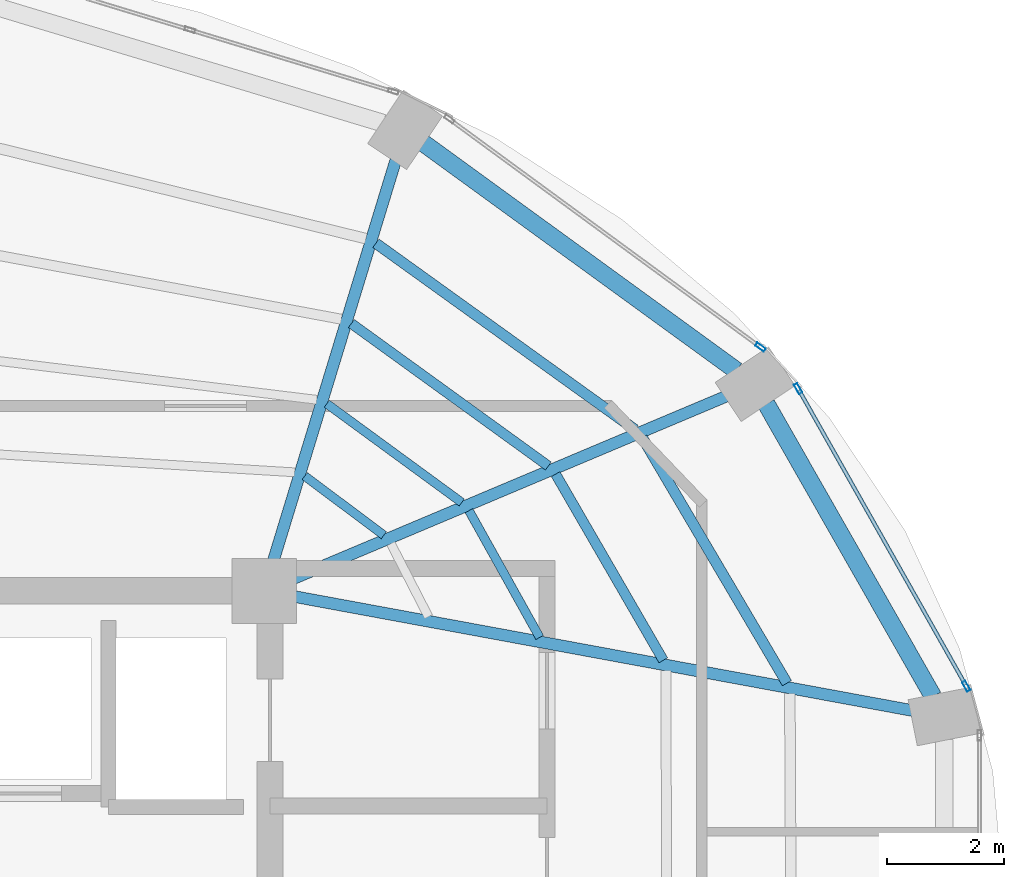
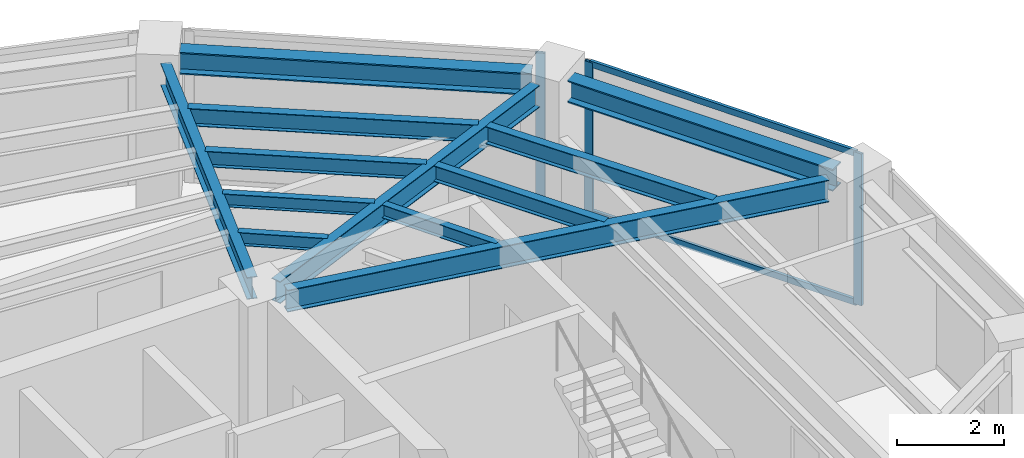
# One storey, part 15 of 23: 12 beams, 5 members, 2 elements without a shape of their own.
"""IFC4 building model written with IfcOpenShell, lengths in metres."""

import ifcopenshell
import ifcopenshell.guid

model = None  # the IFC model being written
_history = None  # IfcOwnerHistory: only IFC2X3 demands one
_inside = {}  # id of a spatial element -> (the spatial element, [elements in it])
_under = {}  # id of a project, library or spatial element -> (it, [spatial elements below it])
_declared = {}  # id of a project -> (the project, [libraries it declares])
_typed = {}  # id of a type object -> (the type object, [elements of that type])
_made_of = {}  # id of a material, layer set ... -> (it, [elements and type objects made of it])


def new_model(schema):
    """Start an empty IFC model of exactly this schema.

    Asked for "IFC4X3", IfcOpenShell would pick the latest addendum, in which some entities
    have other attributes; the version numbers below select the first issue.
    IFC2X3 requires an IfcOwnerHistory on every rooted entity: one is made here for all.
    """
    global model, _history
    if schema == "IFC4X3":
        model = ifcopenshell.file(schema_version=(4, 3, 0, 0))
    else:
        model = ifcopenshell.file(schema=schema)
    _inside.clear()
    _under.clear()
    _declared.clear()
    _typed.clear()
    _made_of.clear()
    _history = None
    if model.schema == "IFC2X3":
        org = make("IfcOrganization", Name="unknown")
        user = make(
            "IfcPersonAndOrganization",
            ThePerson=make("IfcPerson", FamilyName="unknown"),
            TheOrganization=org,
        )
        app = make(
            "IfcApplication",
            ApplicationDeveloper=org,
            Version="unknown",
            ApplicationFullName="unknown",
            ApplicationIdentifier="unknown",
        )
        _history = make(
            "IfcOwnerHistory",
            OwningUser=user,
            OwningApplication=app,
            ChangeAction="ADDED",
            CreationDate=0,
        )
    return model


def make(cls, **values):
    """One entity of the class cls with the attributes given. An attribute that is None is left unset."""
    return model.create_entity(
        cls, **{name: value for name, value in values.items() if value is not None}
    )


def rooted(cls, **values):
    """An entity with a GlobalId (a new one), such as an element, a storey or a relation."""
    return make(cls, GlobalId=ifcopenshell.guid.new(), OwnerHistory=_history, **values)


def si_unit(unit_type, name, prefix=None):
    """IfcSIUnit, for example si_unit("LENGTHUNIT", "METRE", prefix="MILLI")."""
    return make("IfcSIUnit", UnitType=unit_type, Prefix=prefix, Name=name)


def assignment(units):
    """IfcUnitAssignment: the units of a project."""
    return None if units is None else make("IfcUnitAssignment", Units=units)


def point(xyz):
    """IfcCartesianPoint."""
    return None if xyz is None else make("IfcCartesianPoint", Coordinates=xyz)


def direction(xyz):
    """IfcDirection."""
    return None if xyz is None else make("IfcDirection", DirectionRatios=xyz)


def frame(location, z_axis=None, x_axis=None):
    """IfcAxis2Placement3D, a coordinate frame: its origin and axes. An axis left out is left unset."""
    return make(
        "IfcAxis2Placement3D",
        Location=point(location),
        Axis=direction(z_axis),
        RefDirection=direction(x_axis),
    )


def frame_2d(location, x_axis=None):
    """IfcAxis2Placement2D, a coordinate frame in the plane: its origin and x axis."""
    return make(
        "IfcAxis2Placement2D", Location=point(location), RefDirection=direction(x_axis)
    )


def origin():
    """The frame at (0, 0, 0) with its axes left unset."""
    return frame((0.0, 0.0, 0.0))


def origin_2d():
    """The frame at (0, 0) in the plane with its x axis left unset."""
    return frame_2d((0.0, 0.0))


def place(relative_to, where):
    """IfcLocalPlacement: puts the frame where relative to a parent placement (None: the world)."""
    return make(
        "IfcLocalPlacement", PlacementRelTo=relative_to, RelativePlacement=where
    )


def context(
    kind, dimensions, precision=None, world=None, true_north=None, identifier=None
):
    """IfcGeometricRepresentationContext, for example the 3D "Model" context."""
    return make(
        "IfcGeometricRepresentationContext",
        ContextIdentifier=identifier,
        ContextType=kind,
        CoordinateSpaceDimension=dimensions,
        Precision=precision,
        WorldCoordinateSystem=world,
        TrueNorth=true_north,
    )


def subcontext(parent, identifier, kind, view, scale=None):
    """IfcGeometricRepresentationSubContext, for example "Body" below "Model"."""
    return make(
        "IfcGeometricRepresentationSubContext",
        ContextIdentifier=identifier,
        ContextType=kind,
        ParentContext=parent,
        TargetScale=scale,
        TargetView=view,
    )


def project(units=None, contexts=None):
    """IfcProject with its units and contexts."""
    return rooted(
        "IfcProject",
        Name="project",
        RepresentationContexts=contexts,
        UnitsInContext=assignment(units),
    )


def spatial(cls, under=None, at=None, **own):
    """A site, building, storey or space (cls), placed at a placement, below another one or the project."""
    s = rooted(cls, ObjectPlacement=at, **own)
    if under is not None:
        _under.setdefault(under.id(), (under, []))[1].append(s)
    return s


def profile(cls, at=None, kind="AREA", **sizes):
    """A parametric profile (cls). Its sizes go by their IFC names, for example OverallWidth=200.0."""
    return make(cls, ProfileType=kind, Position=at, **sizes)


def hollow_rectangle(**sizes):
    """IfcRectangleHollowProfileDef."""
    return profile("IfcRectangleHollowProfileDef", **sizes)


def i_section(**sizes):
    """IfcIShapeProfileDef."""
    return profile("IfcIShapeProfileDef", **sizes)


def extrude(swept, where, along, depth):
    """IfcExtrudedAreaSolid: the profile swept, set in the frame where, extruded along a direction by depth."""
    return make(
        "IfcExtrudedAreaSolid",
        SweptArea=swept,
        Position=where,
        ExtrudedDirection=direction(along),
        Depth=depth,
    )


def shape(context_of_items, identifier, shape_type, items):
    """IfcShapeRepresentation: the items that make up one representation, for example the "Body"."""
    return make(
        "IfcShapeRepresentation",
        ContextOfItems=context_of_items,
        RepresentationIdentifier=identifier,
        RepresentationType=shape_type,
        Items=items,
    )


def material(Name=None, Category=None):
    """IfcMaterial."""
    return make("IfcMaterial", Name=Name, Category=Category)


def layer(
    of_material, thickness, ventilated=None, Name=None, Category=None, Priority=None
):
    """IfcMaterialLayer: one layer of a wall or slab, of a material (None: an air gap)."""
    return make(
        "IfcMaterialLayer",
        Material=of_material,
        LayerThickness=thickness,
        IsVentilated=ventilated,
        Name=Name,
        Category=Category,
        Priority=Priority,
    )


def layer_set(layers, Name=None):
    """IfcMaterialLayerSet."""
    return make("IfcMaterialLayerSet", MaterialLayers=layers, LayerSetName=Name)


def material_profile(
    of_material, cross_section, Name=None, Category=None, Priority=None
):
    """IfcMaterialProfile: a cross section and its material."""
    return make(
        "IfcMaterialProfile",
        Name=Name,
        Material=of_material,
        Profile=cross_section,
        Priority=Priority,
        Category=Category,
    )


def profile_set(profiles, Name=None, composite=None):
    """IfcMaterialProfileSet."""
    return make(
        "IfcMaterialProfileSet",
        Name=Name,
        MaterialProfiles=profiles,
        CompositeProfile=composite,
    )


def made_of(thing, what):
    """Note that an element or type object is made of a material, layer set ...; save() writes the relation."""
    if what is not None:
        _made_of.setdefault(what.id(), (what, []))[1].append(thing)
    return thing


def type_object(cls, material=None, **own):
    """A type object (cls), such as IfcWallType, which elements share."""
    return made_of(rooted(cls, **own), material)


def element(
    cls,
    number,
    at=None,
    inside=None,
    cuts=None,
    type_object=None,
    material=None,
    context=None,
    identifier="Body",
    shape_type=None,
    held_by="IfcProductDefinitionShape",
    body=None,
    shapes=None,
    **own,
):
    """One element of the class cls, such as IfcWall. Its Tag is "e" and its number.

    at: its placement. inside: the storey or other place that contains it. cuts: it is an
    opening in that element (IfcRelVoidsElement). A single representation is given by context,
    identifier, shape_type and body (its items); several are given by shapes. held_by: the class
    of the entity that holds the representations. save() writes the other relations.
    """
    e = rooted(cls, Tag="e%d" % number, ObjectPlacement=at, **own)
    if body is not None:
        shapes = [shape(context, identifier, shape_type, body)]
    if shapes is not None:
        e.Representation = make(held_by, Representations=shapes)
    if inside is not None:
        _inside.setdefault(inside.id(), (inside, []))[1].append(e)
    if cuts is not None:
        rooted(
            "IfcRelVoidsElement", RelatingBuildingElement=cuts, RelatedOpeningElement=e
        )
    if type_object is not None:
        _typed.setdefault(type_object.id(), (type_object, []))[1].append(e)
    return made_of(e, material)


def aggregate(whole, parts):
    """IfcRelAggregates: a whole, such as a stair, and the parts it consists of."""
    return rooted("IfcRelAggregates", RelatingObject=whole, RelatedObjects=parts)


def save(model, path):
    """Write the relations noted so far, then the file.

    IfcRelAggregates (storeys below a building ...), IfcRelContainedInSpatialStructure (elements
    in a storey), IfcRelDefinesByType, IfcRelAssociatesMaterial and IfcRelDeclares: one each for
    every whole, place, type object, material and project.
    """
    for whole, parts in _under.values():
        aggregate(whole, parts)
    for where, things in _inside.values():
        rooted(
            "IfcRelContainedInSpatialStructure",
            RelatedElements=things,
            RelatingStructure=where,
        )
    for kind, things in _typed.values():
        rooted("IfcRelDefinesByType", RelatedObjects=things, RelatingType=kind)
    for what, things in _made_of.values():
        rooted("IfcRelAssociatesMaterial", RelatedObjects=things, RelatingMaterial=what)
    for by, libraries in _declared.values():
        rooted("IfcRelDeclares", RelatingContext=by, RelatedDefinitions=libraries)
    model.write(path)


model = new_model("IFC4")

# Units and contexts
model_context = context("Model", 3, precision=1e-05, world=origin(), true_north=direction((0.0, 1.0)))
body_context = subcontext(model_context, "Body", "Model", "MODEL_VIEW")
ifc_project = project(units=[si_unit("LENGTHUNIT", "METRE"), si_unit("AREAUNIT", "SQUARE_METRE"), si_unit("VOLUMEUNIT", "CUBIC_METRE"), si_unit("PLANEANGLEUNIT", "RADIAN"), si_unit("MASSUNIT", "GRAM", prefix="KILO")], contexts=[model_context])

# Site, building, storey
site_placement = place(None, origin())
site = spatial("IfcSite", under=ifc_project, at=site_placement, CompositionType="ELEMENT")
building_placement = place(site_placement, origin())
building = spatial("IfcBuilding", under=site, at=building_placement, Name="Lazwardi Medical Tower", CompositionType="ELEMENT")
storey_placement = place(building_placement, frame((0.0, 0.0, 234.9599609375)))
storey = spatial("IfcBuildingStorey", under=building, at=storey_placement, Name="L61", CompositionType="ELEMENT", Elevation=234.9599609375)

# Beams
ifc_material_1 = material(Name="Steel S355", Category="steel")
ifc_material_profile_1 = material_profile(ifc_material_1, i_section(OverallWidth=0.300048828125, OverallDepth=0.5, WebThickness=0.014404296875, FlangeThickness=0.028076171875, at=origin_2d()), Name="HEB 500")
ifc_profile_set_1 = profile_set([ifc_material_profile_1], Name="Steel S355")
beam_type_1 = type_object("IfcBeamType", Name="BM-RB-Z4", PredefinedType="BEAM", material=ifc_profile_set_1)
beam_1_placement = place(storey_placement, frame((56.991943359375, 33.8017578125, 3.197998046875), z_axis=(-0.495125273299, 0.868821594886, 0.0), x_axis=(-0.868821594886, -0.495125273299, 0.0)))
element("IfcBeam", 1, at=beam_1_placement, inside=storey, type_object=beam_type_1, Name="Ring beam RB-05 B05 L61", PredefinedType="BEAM", context=body_context, shape_type="SweptSolid", body=[
    extrude(i_section(OverallWidth=0.300048828125, OverallDepth=0.5, WebThickness=0.014404296875, FlangeThickness=0.028076171875, at=origin_2d()), origin(), (0.0, 0.0, 1.0), 5.734130859375),
])
beam_2_placement = place(storey_placement, frame((53.644287109375, 39.351806640625, 3.197998046875), z_axis=(-0.808889916254, 0.587960120571, 0.0), x_axis=(-0.587960120571, -0.808889916254, 0.0)))
element("IfcBeam", 2, at=beam_2_placement, inside=storey, type_object=beam_type_1, Name="Ring beam RB-05 B06 L61", PredefinedType="BEAM", context=body_context, shape_type="SweptSolid", body=[
    extrude(i_section(OverallWidth=0.300048828125, OverallDepth=0.5, WebThickness=0.014404296875, FlangeThickness=0.028076171875, at=origin_2d()), origin(), (0.0, 0.0, 1.0), 6.587158203125),
])
ifc_material_profile_2 = material_profile(ifc_material_1, i_section(OverallWidth=0.199951171875, OverallDepth=0.5, WebThickness=0.01025390625, FlangeThickness=0.01611328125, at=origin_2d()), Name="IPE 500")
ifc_profile_set_2 = profile_set([ifc_material_profile_2], Name="Steel S355")
beam_type_2 = type_object("IfcBeamType", Name="BM-RG-W3", PredefinedType="BEAM", material=ifc_profile_set_2)
beam_3_placement = place(storey_placement, frame((56.658935546875, 33.56005859375, 3.197998046875), z_axis=(-0.983409341459, 0.181400295288, 0.0), x_axis=(-0.181400295288, -0.983409341459, 0.0)))
element("IfcBeam", 3, at=beam_3_placement, inside=storey, type_object=beam_type_2, Name="Radial girder RG-04 R05 L61", PredefinedType="BEAM", context=body_context, shape_type="SweptSolid", body=[
    extrude(i_section(OverallWidth=0.199951171875, OverallDepth=0.5, WebThickness=0.01025390625, FlangeThickness=0.01611328125, at=origin_2d()), origin(), (0.0, 0.0, 1.0), 10.71044921875),
])
beam_4_placement = place(storey_placement, frame((53.466796875, 38.914794921875, 3.197998046875), z_axis=(-0.921526791352, -0.388314785735, 0.0), x_axis=(0.388314785735, -0.921526791352, 0.0)))
element("IfcBeam", 4, at=beam_4_placement, inside=storey, type_object=beam_type_2, Name="Radial girder RG-04 R06 L61", PredefinedType="BEAM", context=body_context, shape_type="SweptSolid", body=[
    extrude(i_section(OverallWidth=0.199951171875, OverallDepth=0.5, WebThickness=0.01025390625, FlangeThickness=0.01611328125, at=origin_2d()), origin(), (0.0, 0.0, 1.0), 8.001708984375),
])
beam_5_placement = place(storey_placement, frame((47.843994140625, 42.9423828125, 3.197998046875), z_axis=(-0.292276716539, -0.956333791607, 0.0), x_axis=(0.956333791607, -0.292276716539, 0.0)))
element("IfcBeam", 5, at=beam_5_placement, inside=storey, type_object=beam_type_2, Name="Radial girder RG-04 R07 L61", PredefinedType="BEAM", context=body_context, shape_type="SweptSolid", body=[
    extrude(i_section(OverallWidth=0.199951171875, OverallDepth=0.5, WebThickness=0.01025390625, FlangeThickness=0.01611328125, at=origin_2d()), origin(), (0.0, 0.0, 1.0), 7.142822265625),
])
ifc_material_profile_3 = material_profile(ifc_material_1, i_section(OverallWidth=0.179931640625, OverallDepth=0.39990234375, WebThickness=0.008544921875, FlangeThickness=0.013427734375, at=origin_2d()), Name="IPE 400")
ifc_profile_set_3 = profile_set([ifc_material_profile_3], Name="Steel S355")
beam_type_3 = type_object("IfcBeamType", Name="BM-SJ-01", PredefinedType="JOIST", material=ifc_profile_set_3)
beam_6_placement = place(storey_placement, frame((54.504150390625, 34.030517578125, 3.248046875), z_axis=(-0.507710311367, 0.861527851977, 0.0), x_axis=(-0.861527851977, -0.507710311367, 0.0)))
element("IfcBeam", 6, at=beam_6_placement, inside=storey, type_object=beam_type_3, Name="Secondary joist SJ-01 R1 B05 L61", PredefinedType="JOIST", context=body_context, shape_type="SweptSolid", body=[
    extrude(i_section(OverallWidth=0.179931640625, OverallDepth=0.39990234375, WebThickness=0.008544921875, FlangeThickness=0.013427734375, at=origin_2d()), origin(), (0.0, 0.0, 1.0), 4.852783203125),
])
beam_7_placement = place(storey_placement, frame((51.914794921875, 38.348876953125, 3.248046875), z_axis=(-0.811889581337, 0.58381102055, 0.0), x_axis=(-0.58381102055, -0.811889581337, 0.0)))
element("IfcBeam", 7, at=beam_7_placement, inside=storey, type_object=beam_type_3, Name="Secondary joist SJ-01 R1 B06 L61", PredefinedType="JOIST", context=body_context, shape_type="SweptSolid", body=[
    extrude(i_section(OverallWidth=0.179931640625, OverallDepth=0.39990234375, WebThickness=0.008544921875, FlangeThickness=0.013427734375, at=origin_2d()), origin(), (0.0, 0.0, 1.0), 5.433349609375),
])
ifc_material_profile_4 = material_profile(ifc_material_1, i_section(OverallWidth=0.169921875, OverallDepth=0.360107421875, WebThickness=0.008056640625, FlangeThickness=0.0126953125, at=origin_2d()), Name="IPE 360")
ifc_profile_set_4 = profile_set([ifc_material_profile_4], Name="Steel S355")
beam_type_4 = type_object("IfcBeamType", Name="BM-SJ-02", PredefinedType="JOIST", material=ifc_profile_set_4)
beam_8_placement = place(storey_placement, frame((52.398193359375, 34.41943359375, 3.26806640625), z_axis=(-0.500655179543, 0.865646805109, 0.0), x_axis=(-0.865646805109, -0.500655179543, 0.0)))
element("IfcBeam", 8, at=beam_8_placement, inside=storey, type_object=beam_type_4, Name="Secondary joist SJ-02 R2 B05 L61", PredefinedType="JOIST", context=body_context, shape_type="SweptSolid", body=[
    extrude(i_section(OverallWidth=0.169921875, OverallDepth=0.360107421875, WebThickness=0.008056640625, FlangeThickness=0.0126953125, at=origin_2d()), origin(), (0.0, 0.0, 1.0), 3.662109375),
])
beam_9_placement = place(storey_placement, frame((50.440185546875, 37.7275390625, 3.26806640625), z_axis=(-0.810164229155, 0.586202969796, 0.0), x_axis=(-0.586202969796, -0.810164229155, 0.0)))
element("IfcBeam", 9, at=beam_9_placement, inside=storey, type_object=beam_type_4, Name="Secondary joist SJ-02 R2 B06 L61", PredefinedType="JOIST", context=body_context, shape_type="SweptSolid", body=[
    extrude(i_section(OverallWidth=0.169921875, OverallDepth=0.360107421875, WebThickness=0.008056640625, FlangeThickness=0.0126953125, at=origin_2d()), origin(), (0.0, 0.0, 1.0), 4.14013671875),
])
ifc_material_profile_5 = material_profile(ifc_material_1, i_section(OverallWidth=0.14990234375, OverallDepth=0.300048828125, WebThickness=0.007080078125, FlangeThickness=0.0107421875, at=origin_2d()), Name="IPE 300")
ifc_profile_set_5 = profile_set([ifc_material_profile_5], Name="Steel S355")
beam_type_5 = type_object("IfcBeamType", Name="BM-SJ-03", PredefinedType="JOIST", material=ifc_profile_set_5)
beam_10_placement = place(storey_placement, frame((50.29296875, 34.80859375, 3.298095703125), z_axis=(-0.487092942089, 0.873350139272, 0.0), x_axis=(-0.873350139272, -0.487092942089, 0.0)))
element("IfcBeam", 10, at=beam_10_placement, inside=storey, type_object=beam_type_5, Name="Secondary joist SJ-03 R3 B05 L61", PredefinedType="JOIST", context=body_context, shape_type="SweptSolid", body=[
    extrude(i_section(OverallWidth=0.14990234375, OverallDepth=0.300048828125, WebThickness=0.007080078125, FlangeThickness=0.0107421875, at=origin_2d()), origin(), (0.0, 0.0, 1.0), 2.471923828125),
])
beam_11_placement = place(storey_placement, frame((48.9658203125, 37.106689453125, 3.298095703125), z_axis=(-0.80703431267, 0.59050454543, 0.0), x_axis=(-0.59050454543, -0.80703431267, 0.0)))
element("IfcBeam", 11, at=beam_11_placement, inside=storey, type_object=beam_type_5, Name="Secondary joist SJ-03 R3 B06 L61", PredefinedType="JOIST", context=body_context, shape_type="SweptSolid", body=[
    extrude(i_section(OverallWidth=0.14990234375, OverallDepth=0.300048828125, WebThickness=0.007080078125, FlangeThickness=0.0107421875, at=origin_2d()), origin(), (0.0, 0.0, 1.0), 2.846923828125),
])
beam_12_placement = place(storey_placement, frame((47.63916015625, 36.548095703125, 3.298095703125), z_axis=(-0.800365301971, 0.599512621553, 0.0), x_axis=(-0.599512621553, -0.800365301971, 0.0)))
element("IfcBeam", 12, at=beam_12_placement, inside=storey, type_object=beam_type_5, Name="Secondary joist SJ-03 R4 B06 L61", PredefinedType="JOIST", context=body_context, shape_type="SweptSolid", body=[
    extrude(i_section(OverallWidth=0.14990234375, OverallDepth=0.300048828125, WebThickness=0.007080078125, FlangeThickness=0.0107421875, at=origin_2d()), origin(), (0.0, 0.0, 1.0), 1.68359375),
])

# Curtain wall, members
ifc_material_2 = material(Name="Anodised bronze aluminium and solar control glazing", Category="aluminium")
ifc_layer = layer(ifc_material_2, 0.18994140625)
ifc_layer_set = layer_set([ifc_layer], Name="Anodised bronze aluminium and solar control glazing")
curtain_wall_type = type_object("IfcCurtainWallType", Name="CW-SYS-04", PredefinedType="NOTDEFINED", material=ifc_layer_set)
curtain_wall_1_placement = place(storey_placement, origin())
curtain_wall_1 = element("IfcCurtainWall", 13, at=curtain_wall_1_placement, inside=storey, type_object=curtain_wall_type, Name="L61 Unitised bronze curtain wall CW-04", PredefinedType="NOTDEFINED")
ifc_material_3 = material(Name="Anodised bronze aluminium", Category="aluminium")
ifc_material_profile_6 = material_profile(ifc_material_3, hollow_rectangle(XDim=0.06494140625, YDim=0.179931640625, WallThickness=0.00390625, at=origin_2d()), Name="ALU-MULLION 180x65x4")
ifc_profile_set_6 = profile_set([ifc_material_profile_6], Name="Anodised bronze aluminium")
member_type_1 = type_object("IfcMemberType", Name="CW-MUL-03", PredefinedType="MULLION", material=ifc_profile_set_6)
member_1_placement = place(storey_placement, frame((57.557373046875, 33.978271484375, 0.0), z_axis=(0.0, 0.0, 1.0), x_axis=(-0.870651436011, -0.491900474661, 0.0)))
member_1 = element("IfcMember", 14, at=member_1_placement, type_object=member_type_1, Name="CW-04 mullion 1", PredefinedType="MULLION", context=body_context, shape_type="SweptSolid", body=[
    extrude(hollow_rectangle(XDim=0.06494140625, YDim=0.179931640625, WallThickness=0.00390625, at=origin_2d()), origin(), (0.0, 0.0, 1.0), 3.447998046875),
])
member_2_placement = place(storey_placement, frame((54.6943359375, 39.04541015625, 0.0), z_axis=(0.0, 0.0, 1.0), x_axis=(-0.870651436011, -0.491900474661, 0.0)))
member_2 = element("IfcMember", 15, at=member_2_placement, type_object=member_type_1, Name="CW-04 mullion 2", PredefinedType="MULLION", context=body_context, shape_type="SweptSolid", body=[
    extrude(hollow_rectangle(XDim=0.06494140625, YDim=0.179931640625, WallThickness=0.00390625, at=origin_2d()), origin(), (0.0, 0.0, 1.0), 3.447998046875),
])

# Curtain wall, member
curtain_wall_2_placement = place(storey_placement, origin())
curtain_wall_2 = element("IfcCurtainWall", 16, at=curtain_wall_2_placement, inside=storey, type_object=curtain_wall_type, Name="L61 Unitised bronze curtain wall CW-04", PredefinedType="NOTDEFINED")
member_3_placement = place(storey_placement, frame((54.052001953125, 39.751708984375, 0.0), z_axis=(0.0, 0.0, 1.0), x_axis=(-0.591268230971, -0.806474971121, 0.0)))
member_3 = element("IfcMember", 17, at=member_3_placement, type_object=member_type_1, Name="CW-04 mullion 1", PredefinedType="MULLION", context=body_context, shape_type="SweptSolid", body=[
    extrude(hollow_rectangle(XDim=0.06494140625, YDim=0.179931640625, WallThickness=0.00390625, at=origin_2d()), origin(), (0.0, 0.0, 1.0), 3.447998046875),
])
aggregate(curtain_wall_2, [member_3])

# Member
ifc_material_profile_7 = material_profile(ifc_material_3, hollow_rectangle(XDim=0.06494140625, YDim=0.139892578125, WallThickness=0.00341796875, at=origin_2d()), Name="ALU-TRANSOM 140x65x3.5")
ifc_profile_set_7 = profile_set([ifc_material_profile_7], Name="Anodised bronze aluminium")
member_type_2 = type_object("IfcMemberType", Name="CW-TRN-03", PredefinedType="USERDEFINED", material=ifc_profile_set_7)
member_4_placement = place(storey_placement, frame((57.541259765625, 34.006591796875, 0.032470703125), z_axis=(-0.491897887635, 0.870652897623, 0.0), x_axis=(-0.870652897623, -0.491897887635, 0.0)))
member_4 = element("IfcMember", 18, at=member_4_placement, type_object=member_type_2, Name="CW-04 transom 1.1", ObjectType="TRANSOM", PredefinedType="USERDEFINED", context=body_context, shape_type="SweptSolid", body=[
    extrude(hollow_rectangle(XDim=0.06494140625, YDim=0.139892578125, WallThickness=0.00341796875, at=origin_2d()), origin(), (0.0, 0.0, 1.0), 5.7548828125),
])

member_5_placement = place(storey_placement, frame((57.541259765625, 34.006591796875, 3.41552734375), z_axis=(-0.491897887635, 0.870652897623, 0.0), x_axis=(-0.870652897623, -0.491897887635, 0.0)))
member_5 = element("IfcMember", 19, at=member_5_placement, type_object=member_type_2, Name="CW-04 transom 1.2", ObjectType="TRANSOM", PredefinedType="USERDEFINED", context=body_context, shape_type="SweptSolid", body=[
    extrude(hollow_rectangle(XDim=0.06494140625, YDim=0.139892578125, WallThickness=0.00341796875, at=origin_2d()), origin(), (0.0, 0.0, 1.0), 5.7548828125),
])

aggregate(curtain_wall_1, [member_1, member_2, member_4, member_5])

save(model, "model.ifc")
